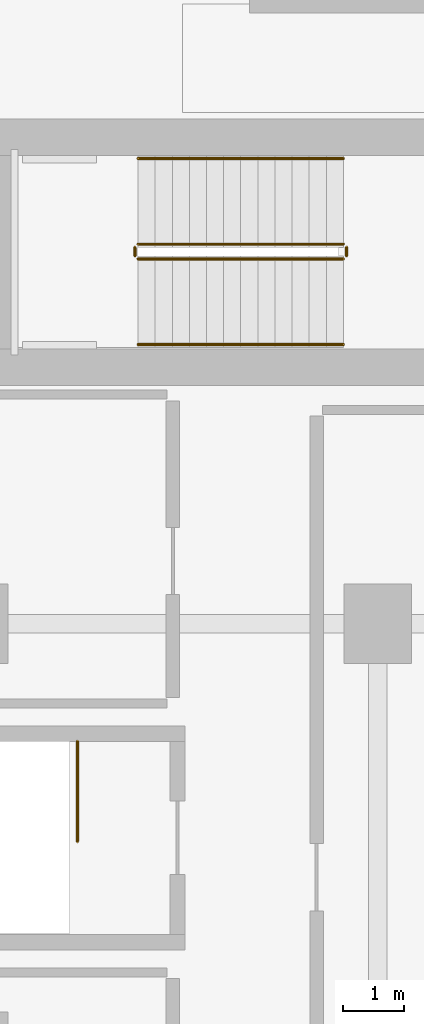
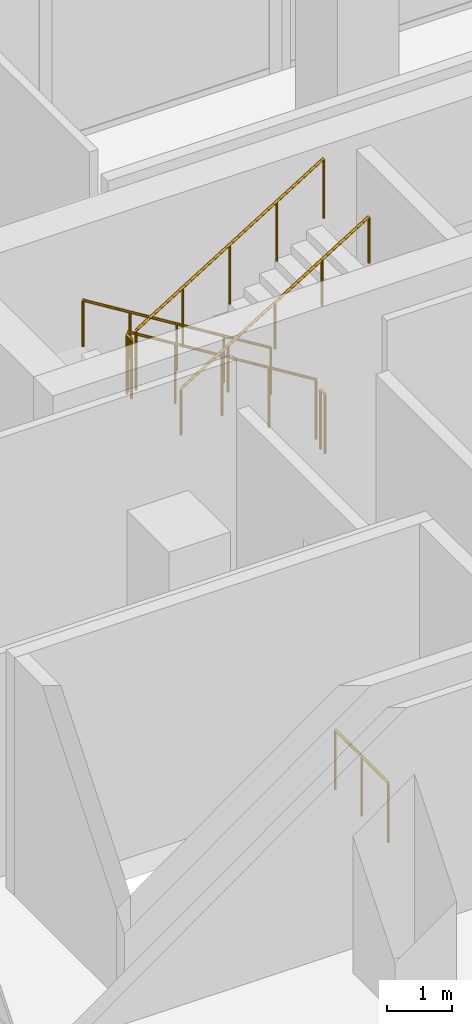
# One storey, part 19 of 21: 7 railings.
"""IFC4 building model written with IfcOpenShell, lengths in metres."""

from ifc_helpers import new_model, si_unit, derived_unit, direction, frame, origin, origin_2d, place, context, subcontext, project, spatial, circle, extrude, material, type_object, element, save


model = new_model("IFC4")

# Units and contexts
model_context = context("Model", 3, precision=1e-05, world=origin(), true_north=direction((0.0, 1.0)))
body_context = subcontext(model_context, "Body", "Model", "MODEL_VIEW")
ifc_project = project(units=[si_unit("LENGTHUNIT", "METRE"), si_unit("AREAUNIT", "SQUARE_METRE"), si_unit("VOLUMEUNIT", "CUBIC_METRE"), si_unit("PLANEANGLEUNIT", "RADIAN"), si_unit("MASSUNIT", "GRAM", prefix="KILO"), derived_unit("THERMALTRANSMITTANCEUNIT", [(si_unit("POWERUNIT", "WATT"), 1), (si_unit("LENGTHUNIT", "METRE"), -2), (si_unit("THERMODYNAMICTEMPERATUREUNIT", "KELVIN"), -1)])], contexts=[model_context])

# Site, building, storey
site_placement = place(None, origin())
site = spatial("IfcSite", under=ifc_project, at=site_placement, CompositionType="ELEMENT")
building_placement = place(site_placement, origin())
building = spatial("IfcBuilding", under=site, at=building_placement, Name="Kivonza Crest Hotel", CompositionType="ELEMENT")
storey_placement = place(building_placement, frame((0.0, 0.0, 19.5)))
storey = spatial("IfcBuildingStorey", under=building, at=storey_placement, Name="L04", CompositionType="ELEMENT", Elevation=19.5)

# Railings
ifc_material_1 = material(Name="Brushed stainless steel handrail", Category="steel")
railing_type_1 = type_object("IfcRailingType", Name="RL-HAND-900", PredefinedType="HANDRAIL", material=ifc_material_1)
railing_1_placement = place(storey_placement, frame((12.239990234375, 36.110107421875, 0.173095703125)))
element("IfcRailing", 1, at=railing_1_placement, inside=storey, type_object=railing_type_1, Name="L04 ST-T1-N stair handrail 1", PredefinedType="HANDRAIL", context=body_context, shape_type="SweptSolid", body=[
    extrude(circle(Radius=0.02392578125, at=origin_2d()), frame((0.0, 0.0, 0.8759765625), z_axis=(-0.850623216509, 0.0, 0.525775754039), x_axis=(0.0, -1.0, 0.0)), (0.0, 0.0, 1.0), 3.9501953125),
    extrude(circle(Radius=0.02099609375, at=origin_2d()), origin(), (0.0, 0.0, 1.0), 0.851806640625),
    extrude(circle(Radius=0.02099609375, at=origin_2d()), frame((-0.840087890625, 0.0, 0.519287109375)), (0.0, 0.0, 1.0), 0.851806640625),
    extrude(circle(Radius=0.02099609375, at=origin_2d()), frame((-1.68017578125, 0.0, 1.03857421875)), (0.0, 0.0, 1.0), 0.851806640625),
    extrude(circle(Radius=0.02099609375, at=origin_2d()), frame((-2.52001953125, 0.0, 1.5576171875)), (0.0, 0.0, 1.0), 0.851806640625),
    extrude(circle(Radius=0.02099609375, at=origin_2d()), frame((-3.360107421875, 0.0, 2.076904296875)), (0.0, 0.0, 1.0), 0.851806640625),
])
railing_2_placement = place(storey_placement, frame((8.8798828125, 33.070068359375, 2.423095703125)))
element("IfcRailing", 2, at=railing_2_placement, inside=storey, type_object=railing_type_1, Name="L04 ST-T1-N stair handrail 2", PredefinedType="HANDRAIL", context=body_context, shape_type="SweptSolid", body=[
    extrude(circle(Radius=0.02392578125, at=origin_2d()), frame((0.0, 0.0, 0.8759765625), z_axis=(0.850623216509, 0.0, 0.525775754039), x_axis=(0.0, 1.0, 0.0)), (0.0, 0.0, 1.0), 3.9501953125),
    extrude(circle(Radius=0.02099609375, at=origin_2d()), origin(), (0.0, 0.0, 1.0), 0.851806640625),
    extrude(circle(Radius=0.02099609375, at=origin_2d()), frame((0.840087890625, 0.0, 0.519287109375)), (0.0, 0.0, 1.0), 0.851806640625),
    extrude(circle(Radius=0.02099609375, at=origin_2d()), frame((1.68017578125, 0.0, 1.03857421875)), (0.0, 0.0, 1.0), 0.851806640625),
    extrude(circle(Radius=0.02099609375, at=origin_2d()), frame((2.52001953125, 0.0, 1.5576171875)), (0.0, 0.0, 1.0), 0.851806640625),
    extrude(circle(Radius=0.02099609375, at=origin_2d()), frame((3.360107421875, 0.0, 2.076904296875)), (0.0, 0.0, 1.0), 0.851806640625),
])
ifc_material_2 = material(Name="Painted steel balustrade", Category="steel")
railing_type_2 = type_object("IfcRailingType", Name="RL-STAIR-1150", PredefinedType="BALUSTRADE", material=ifc_material_2)
railing_3_placement = place(storey_placement, frame((12.239990234375, 34.7099609375, 0.173095703125)))
element("IfcRailing", 3, at=railing_3_placement, inside=storey, type_object=railing_type_2, Name="L04 ST-T1-N stair guard 1", PredefinedType="BALUSTRADE", context=body_context, shape_type="SweptSolid", body=[
    extrude(circle(Radius=0.02392578125, at=origin_2d()), frame((0.0, 0.0, 1.1259765625), z_axis=(-0.850623216509, 0.0, 0.525775754039), x_axis=(0.0, -1.0, 0.0)), (0.0, 0.0, 1.0), 3.9501953125),
    extrude(circle(Radius=0.02099609375, at=origin_2d()), origin(), (0.0, 0.0, 1.0), 1.101806640625),
    extrude(circle(Radius=0.02099609375, at=origin_2d()), frame((-0.840087890625, 0.0, 0.519287109375)), (0.0, 0.0, 1.0), 1.101806640625),
    extrude(circle(Radius=0.02099609375, at=origin_2d()), frame((-1.68017578125, 0.0, 1.03857421875)), (0.0, 0.0, 1.0), 1.101806640625),
    extrude(circle(Radius=0.02099609375, at=origin_2d()), frame((-2.52001953125, 0.0, 1.5576171875)), (0.0, 0.0, 1.0), 1.101806640625),
    extrude(circle(Radius=0.02099609375, at=origin_2d()), frame((-3.360107421875, 0.0, 2.076904296875)), (0.0, 0.0, 1.0), 1.101806640625),
])
railing_4_placement = place(storey_placement, frame((8.830078125, 34.659912109375, 2.25)))
element("IfcRailing", 4, at=railing_4_placement, inside=storey, type_object=railing_type_2, Name="L04 ST-T1-N stair guard 2", PredefinedType="BALUSTRADE", context=body_context, shape_type="SweptSolid", body=[
    extrude(circle(Radius=0.02392578125, at=origin_2d()), frame((0.0, 0.0, 1.1259765625), z_axis=(0.0, -1.0, 0.0), x_axis=(1.0, 0.0, 0.0)), (0.0, 0.0, 1.0), 0.139892578125),
    extrude(circle(Radius=0.02099609375, at=origin_2d()), origin(), (0.0, 0.0, 1.0), 1.101806640625),
    extrude(circle(Radius=0.02099609375, at=origin_2d()), frame((0.0, -0.139892578125, 0.0)), (0.0, 0.0, 1.0), 1.101806640625),
])
railing_5_placement = place(storey_placement, frame((8.8798828125, 34.469970703125, 2.423095703125)))
element("IfcRailing", 5, at=railing_5_placement, inside=storey, type_object=railing_type_2, Name="L04 ST-T1-N stair guard 3", PredefinedType="BALUSTRADE", context=body_context, shape_type="SweptSolid", body=[
    extrude(circle(Radius=0.02392578125, at=origin_2d()), frame((0.0, 0.0, 1.1259765625), z_axis=(0.850623216509, 0.0, 0.525775754039), x_axis=(0.0, 1.0, 0.0)), (0.0, 0.0, 1.0), 3.9501953125),
    extrude(circle(Radius=0.02099609375, at=origin_2d()), origin(), (0.0, 0.0, 1.0), 1.101806640625),
    extrude(circle(Radius=0.02099609375, at=origin_2d()), frame((0.840087890625, 0.0, 0.519287109375)), (0.0, 0.0, 1.0), 1.101806640625),
    extrude(circle(Radius=0.02099609375, at=origin_2d()), frame((1.68017578125, 0.0, 1.03857421875)), (0.0, 0.0, 1.0), 1.101806640625),
    extrude(circle(Radius=0.02099609375, at=origin_2d()), frame((2.52001953125, 0.0, 1.5576171875)), (0.0, 0.0, 1.0), 1.101806640625),
    extrude(circle(Radius=0.02099609375, at=origin_2d()), frame((3.360107421875, 0.0, 2.076904296875)), (0.0, 0.0, 1.0), 1.101806640625),
])
railing_6_placement = place(storey_placement, frame((12.2900390625, 34.659912109375, 0.0)))
element("IfcRailing", 6, at=railing_6_placement, inside=storey, type_object=railing_type_2, Name="L04 ST-T1-N stair guard 4", PredefinedType="BALUSTRADE", context=body_context, shape_type="SweptSolid", body=[
    extrude(circle(Radius=0.02392578125, at=origin_2d()), frame((0.0, 0.0, 1.1259765625), z_axis=(0.0, -1.0, 0.0), x_axis=(1.0, 0.0, 0.0)), (0.0, 0.0, 1.0), 0.139892578125),
    extrude(circle(Radius=0.02099609375, at=origin_2d()), origin(), (0.0, 0.0, 1.0), 1.101806640625),
    extrude(circle(Radius=0.02099609375, at=origin_2d()), frame((0.0, -0.139892578125, 0.0)), (0.0, 0.0, 1.0), 1.101806640625),
])
railing_7_placement = place(storey_placement, frame((7.889892578125, 26.580078125, 0.0)))
element("IfcRailing", 7, at=railing_7_placement, inside=storey, type_object=railing_type_2, Name="L04 ST-POD-W top well guard 1", PredefinedType="BALUSTRADE", context=body_context, shape_type="SweptSolid", body=[
    extrude(circle(Radius=0.02392578125, at=origin_2d()), frame((0.0, 0.0, 1.1259765625), z_axis=(0.0, -1.0, 0.0), x_axis=(1.0, 0.0, 0.0)), (0.0, 0.0, 1.0), 1.64013671875),
    extrude(circle(Radius=0.02099609375, at=origin_2d()), origin(), (0.0, 0.0, 1.0), 1.101806640625),
    extrude(circle(Radius=0.02099609375, at=origin_2d()), frame((0.0, -0.820068359375, 0.0)), (0.0, 0.0, 1.0), 1.101806640625),
    extrude(circle(Radius=0.02099609375, at=origin_2d()), frame((0.0, -1.64013671875, 0.0)), (0.0, 0.0, 1.0), 1.101806640625),
])

save(model, "model.ifc")
